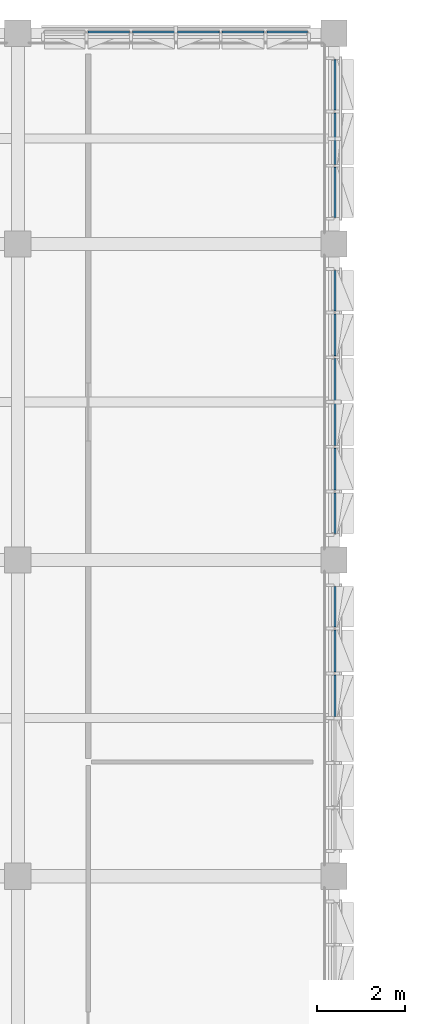
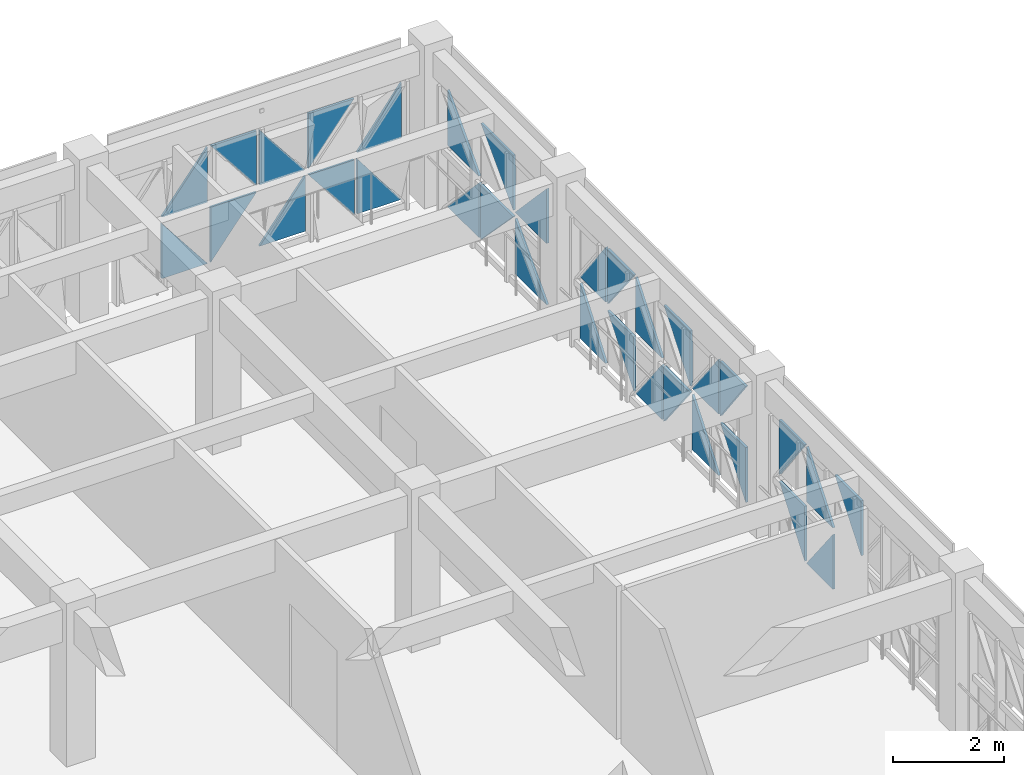
# One storey, part 36 of 74: 33 plates, 4 elements without a shape of their own.
"""IFC4 building model written with IfcOpenShell, lengths in metres."""

from ifc_helpers import new_model, si_unit, direction, frame, origin, place, context, subcontext, project, spatial, polyline, outline, extrude, material, layer, layer_set, type_object, element, aggregate, save


model = new_model("IFC4")

# Units and contexts
model_context = context("Model", 3, precision=1e-05, world=origin(), true_north=direction((0.0, 1.0)))
body_context = subcontext(model_context, "Body", "Model", "MODEL_VIEW")
ifc_project = project(units=[si_unit("LENGTHUNIT", "METRE"), si_unit("AREAUNIT", "SQUARE_METRE"), si_unit("VOLUMEUNIT", "CUBIC_METRE"), si_unit("PLANEANGLEUNIT", "RADIAN"), si_unit("MASSUNIT", "GRAM", prefix="KILO")], contexts=[model_context])

# Site, building, storey
site_placement = place(None, origin())
site = spatial("IfcSite", under=ifc_project, at=site_placement, CompositionType="ELEMENT")
building_placement = place(site_placement, origin())
building = spatial("IfcBuilding", under=site, at=building_placement, Name="Alvorim Cloister Faculty of Sciences", CompositionType="ELEMENT")
storey_placement = place(building_placement, frame((0.0, 0.0, 15.75)))
storey = spatial("IfcBuildingStorey", under=building, at=storey_placement, Name="L04", CompositionType="ELEMENT", Elevation=15.75)

# Curtain wall, plates
ifc_material_1 = material(Name="Aluminium and Low-E Glass Curtain Wall", Category="aluminium")
curtain_wall_type_1 = type_object("IfcCurtainWallType", Name="CW-TRI-6120x2850", PredefinedType="USERDEFINED", material=ifc_material_1)
curtain_wall_1_placement = place(storey_placement, origin())
curtain_wall_1 = element("IfcCurtainWall", 1, at=curtain_wall_1_placement, inside=storey, type_object=curtain_wall_type_1, Name="L04 Diagonal Cassette Curtain Wall CW-0180", ObjectType="UNITISED CURTAIN WALL", PredefinedType="USERDEFINED")
ifc_material_2 = material(Name="Double Low-E Laminated Glass", Category="glass")
ifc_layer = layer(ifc_material_2, 0.0400390625)
ifc_layer_set = layer_set([ifc_layer], Name="Double Low-E Laminated Glass")
plate_type = type_object("IfcPlateType", Name="PN-GLZ-40", PredefinedType="CURTAIN_PANEL", material=ifc_layer_set)
plate_1_placement = place(storey_placement, frame((15.992431640625, 111.625, 0.139892578125), z_axis=(0.0, 0.0, 1.0), x_axis=(1.0, 0.0, 0.0)))
plate_1 = element("IfcPlate", 2, at=plate_1_placement, type_object=plate_type, Name="Diagonal Glazed Triangle TRI-BL", PredefinedType="CURTAIN_PANEL", context=body_context, shape_type="SweptSolid", body=[
    extrude(outline(polyline([(0.0, 0.0), (0.953125, 0.0), (0.0, 1.213134765625), (0.0, 0.0)])), frame((0.0, 0.02490234375, 0.0), z_axis=(0.0, -1.0, 0.0), x_axis=(1.0, 0.0, 0.0)), (0.0, 0.0, 1.0), 0.050048828125),
])
plate_2_placement = place(storey_placement, frame((15.992431640625, 111.625, 1.4951171875), z_axis=(0.0, 0.0, 1.0), x_axis=(1.0, 0.0, 0.0)))
plate_2 = element("IfcPlate", 3, at=plate_2_placement, type_object=plate_type, Name="Diagonal Glazed Triangle TRI-BR", PredefinedType="CURTAIN_PANEL", context=body_context, shape_type="SweptSolid", body=[
    extrude(outline(polyline([(0.001953125, 0.0), (0.955078125, 0.0), (0.955078125, 1.212890625), (0.001953125, 0.0)])), frame((0.0, 0.02490234375, 0.0), z_axis=(0.0, -1.0, 0.0), x_axis=(1.0, 0.0, 0.0)), (0.0, 0.0, 1.0), 0.050048828125),
])
plate_3_placement = place(storey_placement, frame((17.012451171875, 111.625, 0.139892578125), z_axis=(0.0, 0.0, 1.0), x_axis=(1.0, 0.0, 0.0)))
plate_3 = element("IfcPlate", 4, at=plate_3_placement, type_object=plate_type, Name="Diagonal Glazed Triangle TRI-TL", PredefinedType="CURTAIN_PANEL", context=body_context, shape_type="SweptSolid", body=[
    extrude(outline(polyline([(0.953125, 1.215087890625), (0.0, 1.215087890625), (0.0, 0.001953125), (0.953125, 1.215087890625)])), frame((0.0, 0.02490234375, 0.0), z_axis=(0.0, -1.0, 0.0), x_axis=(1.0, 0.0, 0.0)), (0.0, 0.0, 1.0), 0.050048828125),
])
plate_4_placement = place(storey_placement, frame((17.012451171875, 111.625, 1.4951171875), z_axis=(0.0, 0.0, 1.0), x_axis=(1.0, 0.0, 0.0)))
plate_4 = element("IfcPlate", 5, at=plate_4_placement, type_object=plate_type, Name="Diagonal Glazed Triangle TRI-TR", PredefinedType="CURTAIN_PANEL", context=body_context, shape_type="SweptSolid", body=[
    extrude(outline(polyline([(0.955078125, 0.001953125), (0.955078125, 1.21484375), (0.001953125, 1.21484375), (0.955078125, 0.001953125)])), frame((0.0, 0.02490234375, 0.0), z_axis=(0.0, -1.0, 0.0), x_axis=(1.0, 0.0, 0.0)), (0.0, 0.0, 1.0), 0.050048828125),
])
plate_5_placement = place(storey_placement, frame((18.032470703125, 111.625, 0.139892578125), z_axis=(0.0, 0.0, 1.0), x_axis=(1.0, 0.0, 0.0)))
plate_5 = element("IfcPlate", 6, at=plate_5_placement, type_object=plate_type, Name="Diagonal Glazed Triangle TRI-BR", PredefinedType="CURTAIN_PANEL", context=body_context, shape_type="SweptSolid", body=[
    extrude(outline(polyline([(0.001953125, 0.0), (0.955078125, 0.0), (0.955078125, 1.213134765625), (0.001953125, 0.0)])), frame((0.0, 0.02490234375, 0.0), z_axis=(0.0, -1.0, 0.0), x_axis=(1.0, 0.0, 0.0)), (0.0, 0.0, 1.0), 0.050048828125),
])
plate_6_placement = place(storey_placement, frame((18.032470703125, 111.625, 1.4951171875), z_axis=(0.0, 0.0, 1.0), x_axis=(1.0, 0.0, 0.0)))
plate_6 = element("IfcPlate", 7, at=plate_6_placement, type_object=plate_type, Name="Diagonal Glazed Triangle TRI-BL", PredefinedType="CURTAIN_PANEL", context=body_context, shape_type="SweptSolid", body=[
    extrude(outline(polyline([(0.0, 0.0), (0.953125, 0.0), (0.0, 1.212890625), (0.0, 0.0)])), frame((0.0, 0.02490234375, 0.0), z_axis=(0.0, -1.0, 0.0), x_axis=(1.0, 0.0, 0.0)), (0.0, 0.0, 1.0), 0.050048828125),
])
plate_7_placement = place(storey_placement, frame((19.052490234375, 111.625, 0.139892578125), z_axis=(0.0, 0.0, 1.0), x_axis=(1.0, 0.0, 0.0)))
plate_7 = element("IfcPlate", 8, at=plate_7_placement, type_object=plate_type, Name="Diagonal Glazed Triangle TRI-TR", PredefinedType="CURTAIN_PANEL", context=body_context, shape_type="SweptSolid", body=[
    extrude(outline(polyline([(0.955078125, 0.001953125), (0.955078125, 1.215087890625), (0.001953125, 1.215087890625), (0.955078125, 0.001953125)])), frame((0.0, 0.02490234375, 0.0), z_axis=(0.0, -1.0, 0.0), x_axis=(1.0, 0.0, 0.0)), (0.0, 0.0, 1.0), 0.050048828125),
])
plate_8_placement = place(storey_placement, frame((19.052490234375, 111.625, 1.4951171875), z_axis=(0.0, 0.0, 1.0), x_axis=(1.0, 0.0, 0.0)))
plate_8 = element("IfcPlate", 9, at=plate_8_placement, type_object=plate_type, Name="Diagonal Glazed Triangle TRI-TL", PredefinedType="CURTAIN_PANEL", context=body_context, shape_type="SweptSolid", body=[
    extrude(outline(polyline([(0.953125, 1.21484375), (0.0, 1.21484375), (0.0, 0.001953125), (0.953125, 1.21484375)])), frame((0.0, 0.02490234375, 0.0), z_axis=(0.0, -1.0, 0.0), x_axis=(1.0, 0.0, 0.0)), (0.0, 0.0, 1.0), 0.050048828125),
])
plate_9_placement = place(storey_placement, frame((20.072509765625, 111.625, 0.139892578125), z_axis=(0.0, 0.0, 1.0), x_axis=(1.0, 0.0, 0.0)))
plate_9 = element("IfcPlate", 10, at=plate_9_placement, type_object=plate_type, Name="Diagonal Glazed Triangle TRI-BL", PredefinedType="CURTAIN_PANEL", context=body_context, shape_type="SweptSolid", body=[
    extrude(outline(polyline([(0.0, 0.0), (0.920654296875, 0.0), (0.0, 1.213134765625), (0.0, 0.0)])), frame((0.0, 0.02490234375, 0.0), z_axis=(0.0, -1.0, 0.0), x_axis=(1.0, 0.0, 0.0)), (0.0, 0.0, 1.0), 0.050048828125),
])
plate_10_placement = place(storey_placement, frame((20.072509765625, 111.625, 1.4951171875), z_axis=(0.0, 0.0, 1.0), x_axis=(1.0, 0.0, 0.0)))
plate_10 = element("IfcPlate", 11, at=plate_10_placement, type_object=plate_type, Name="Diagonal Glazed Triangle TRI-BR", PredefinedType="CURTAIN_PANEL", context=body_context, shape_type="SweptSolid", body=[
    extrude(outline(polyline([(0.001953125, 0.0), (0.922607421875, 0.0), (0.922607421875, 1.212890625), (0.001953125, 0.0)])), frame((0.0, 0.02490234375, 0.0), z_axis=(0.0, -1.0, 0.0), x_axis=(1.0, 0.0, 0.0)), (0.0, 0.0, 1.0), 0.050048828125),
])
aggregate(curtain_wall_1, [plate_1, plate_2, plate_3, plate_4, plate_5, plate_6, plate_7, plate_8, plate_9, plate_10])

curtain_wall_type_2 = type_object("IfcCurtainWallType", Name="CW-TRI-3720x2850", PredefinedType="USERDEFINED", material=ifc_material_1)
curtain_wall_2_placement = place(storey_placement, origin())
curtain_wall_2 = element("IfcCurtainWall", 12, at=curtain_wall_2_placement, inside=storey, type_object=curtain_wall_type_2, Name="L04 Diagonal Cassette Curtain Wall CW-0181", ObjectType="UNITISED CURTAIN WALL", PredefinedType="USERDEFINED")
plate_11_placement = place(storey_placement, frame((21.625, 107.405029296875, 0.139892578125), z_axis=(0.0, 0.0, 1.0), x_axis=(0.0, 1.0, 0.0)))
plate_11 = element("IfcPlate", 13, at=plate_11_placement, type_object=plate_type, Name="Diagonal Glazed Triangle TRI-BR", PredefinedType="CURTAIN_PANEL", context=body_context, shape_type="SweptSolid", body=[
    extrude(outline(polyline([(0.001953125, 0.0), (1.142578125, 0.0), (1.142578125, 1.213134765625), (0.001953125, 0.0)])), frame((0.0, 0.02490234375, 0.0), z_axis=(0.0, -1.0, 0.0), x_axis=(1.0, 0.0, 0.0)), (0.0, 0.0, 1.0), 0.050048828125),
])
plate_12_placement = place(storey_placement, frame((21.625, 107.405029296875, 1.4951171875), z_axis=(0.0, 0.0, 1.0), x_axis=(0.0, 1.0, 0.0)))
plate_12 = element("IfcPlate", 14, at=plate_12_placement, type_object=plate_type, Name="Diagonal Glazed Triangle TRI-BL", PredefinedType="CURTAIN_PANEL", context=body_context, shape_type="SweptSolid", body=[
    extrude(outline(polyline([(0.0, 0.0), (1.140625, 0.0), (0.0, 1.212890625), (0.0, 0.0)])), frame((0.0, 0.02490234375, 0.0), z_axis=(0.0, -1.0, 0.0), x_axis=(1.0, 0.0, 0.0)), (0.0, 0.0, 1.0), 0.050048828125),
])
plate_13_placement = place(storey_placement, frame((21.625, 108.612548828125, 0.139892578125), z_axis=(0.0, 0.0, 1.0), x_axis=(0.0, 1.0, 0.0)))
plate_13 = element("IfcPlate", 15, at=plate_13_placement, type_object=plate_type, Name="Diagonal Glazed Triangle TRI-TR", PredefinedType="CURTAIN_PANEL", context=body_context, shape_type="SweptSolid", body=[
    extrude(outline(polyline([(1.175048828125, 0.001953125), (1.175048828125, 1.215087890625), (0.001953125, 1.215087890625), (1.175048828125, 0.001953125)])), frame((0.0, 0.02490234375, 0.0), z_axis=(0.0, -1.0, 0.0), x_axis=(1.0, 0.0, 0.0)), (0.0, 0.0, 1.0), 0.050048828125),
])
plate_14_placement = place(storey_placement, frame((21.625, 108.612548828125, 1.4951171875), z_axis=(0.0, 0.0, 1.0), x_axis=(0.0, 1.0, 0.0)))
plate_14 = element("IfcPlate", 16, at=plate_14_placement, type_object=plate_type, Name="Diagonal Glazed Triangle TRI-TL", PredefinedType="CURTAIN_PANEL", context=body_context, shape_type="SweptSolid", body=[
    extrude(outline(polyline([(1.173095703125, 1.21484375), (0.0, 1.21484375), (0.0, 0.001953125), (1.173095703125, 1.21484375)])), frame((0.0, 0.02490234375, 0.0), z_axis=(0.0, -1.0, 0.0), x_axis=(1.0, 0.0, 0.0)), (0.0, 0.0, 1.0), 0.050048828125),
])
plate_15_placement = place(storey_placement, frame((21.625, 109.8525390625, 0.139892578125), z_axis=(0.0, 0.0, 1.0), x_axis=(0.0, 1.0, 0.0)))
plate_15 = element("IfcPlate", 17, at=plate_15_placement, type_object=plate_type, Name="Diagonal Glazed Triangle TRI-BL", PredefinedType="CURTAIN_PANEL", context=body_context, shape_type="SweptSolid", body=[
    extrude(outline(polyline([(0.0, 0.0), (1.140625, 0.0), (0.0, 1.213134765625), (0.0, 0.0)])), frame((0.0, 0.02490234375, 0.0), z_axis=(0.0, -1.0, 0.0), x_axis=(1.0, 0.0, 0.0)), (0.0, 0.0, 1.0), 0.050048828125),
])
plate_16_placement = place(storey_placement, frame((21.625, 109.8525390625, 1.4951171875), z_axis=(0.0, 0.0, 1.0), x_axis=(0.0, 1.0, 0.0)))
plate_16 = element("IfcPlate", 18, at=plate_16_placement, type_object=plate_type, Name="Diagonal Glazed Triangle TRI-BR", PredefinedType="CURTAIN_PANEL", context=body_context, shape_type="SweptSolid", body=[
    extrude(outline(polyline([(0.001953125, 0.0), (1.142578125, 0.0), (1.142578125, 1.212890625), (0.001953125, 0.0)])), frame((0.0, 0.02490234375, 0.0), z_axis=(0.0, -1.0, 0.0), x_axis=(1.0, 0.0, 0.0)), (0.0, 0.0, 1.0), 0.050048828125),
])
aggregate(curtain_wall_2, [plate_11, plate_12, plate_13, plate_14, plate_15, plate_16])

curtain_wall_3_placement = place(storey_placement, origin())
curtain_wall_3 = element("IfcCurtainWall", 19, at=curtain_wall_3_placement, inside=storey, type_object=curtain_wall_type_1, Name="L04 Diagonal Cassette Curtain Wall CW-0182", ObjectType="UNITISED CURTAIN WALL", PredefinedType="USERDEFINED")
plate_17_placement = place(storey_placement, frame((21.625, 100.205078125, 0.139892578125), z_axis=(0.0, 0.0, 1.0), x_axis=(0.0, 1.0, 0.0)))
plate_17 = element("IfcPlate", 20, at=plate_17_placement, type_object=plate_type, Name="Diagonal Glazed Triangle TRI-TL", PredefinedType="CURTAIN_PANEL", context=body_context, shape_type="SweptSolid", body=[
    extrude(outline(polyline([(0.920654296875, 1.215087890625), (0.0, 1.215087890625), (0.0, 0.001953125), (0.920654296875, 1.215087890625)])), frame((0.0, 0.02490234375, 0.0), z_axis=(0.0, -1.0, 0.0), x_axis=(1.0, 0.0, 0.0)), (0.0, 0.0, 1.0), 0.050048828125),
])
plate_18_placement = place(storey_placement, frame((21.625, 100.205078125, 1.4951171875), z_axis=(0.0, 0.0, 1.0), x_axis=(0.0, 1.0, 0.0)))
plate_18 = element("IfcPlate", 21, at=plate_18_placement, type_object=plate_type, Name="Diagonal Glazed Triangle TRI-TR", PredefinedType="CURTAIN_PANEL", context=body_context, shape_type="SweptSolid", body=[
    extrude(outline(polyline([(0.922607421875, 0.001953125), (0.922607421875, 1.21484375), (0.001953125, 1.21484375), (0.922607421875, 0.001953125)])), frame((0.0, 0.02490234375, 0.0), z_axis=(0.0, -1.0, 0.0), x_axis=(1.0, 0.0, 0.0)), (0.0, 0.0, 1.0), 0.050048828125),
])
plate_19_placement = place(storey_placement, frame((21.625, 101.1923828125, 0.139892578125), z_axis=(0.0, 0.0, 1.0), x_axis=(0.0, 1.0, 0.0)))
plate_19 = element("IfcPlate", 22, at=plate_19_placement, type_object=plate_type, Name="Diagonal Glazed Triangle TRI-BR", PredefinedType="CURTAIN_PANEL", context=body_context, shape_type="SweptSolid", body=[
    extrude(outline(polyline([(0.001953125, 0.0), (0.955078125, 0.0), (0.955078125, 1.213134765625), (0.001953125, 0.0)])), frame((0.0, 0.02490234375, 0.0), z_axis=(0.0, -1.0, 0.0), x_axis=(1.0, 0.0, 0.0)), (0.0, 0.0, 1.0), 0.050048828125),
])
plate_20_placement = place(storey_placement, frame((21.625, 101.1923828125, 1.4951171875), z_axis=(0.0, 0.0, 1.0), x_axis=(0.0, 1.0, 0.0)))
plate_20 = element("IfcPlate", 23, at=plate_20_placement, type_object=plate_type, Name="Diagonal Glazed Triangle TRI-BL", PredefinedType="CURTAIN_PANEL", context=body_context, shape_type="SweptSolid", body=[
    extrude(outline(polyline([(0.0, 0.0), (0.953125, 0.0), (0.0, 1.212890625), (0.0, 0.0)])), frame((0.0, 0.02490234375, 0.0), z_axis=(0.0, -1.0, 0.0), x_axis=(1.0, 0.0, 0.0)), (0.0, 0.0, 1.0), 0.050048828125),
])
plate_21_placement = place(storey_placement, frame((21.625, 102.21240234375, 0.139892578125), z_axis=(0.0, 0.0, 1.0), x_axis=(0.0, 1.0, 0.0)))
plate_21 = element("IfcPlate", 24, at=plate_21_placement, type_object=plate_type, Name="Diagonal Glazed Triangle TRI-TR", PredefinedType="CURTAIN_PANEL", context=body_context, shape_type="SweptSolid", body=[
    extrude(outline(polyline([(0.955078125, 0.001953125), (0.955078125, 1.215087890625), (0.001953125, 1.215087890625), (0.955078125, 0.001953125)])), frame((0.0, 0.02490234375, 0.0), z_axis=(0.0, -1.0, 0.0), x_axis=(1.0, 0.0, 0.0)), (0.0, 0.0, 1.0), 0.050048828125),
])
plate_22_placement = place(storey_placement, frame((21.625, 102.21240234375, 1.4951171875), z_axis=(0.0, 0.0, 1.0), x_axis=(0.0, 1.0, 0.0)))
plate_22 = element("IfcPlate", 25, at=plate_22_placement, type_object=plate_type, Name="Diagonal Glazed Triangle TRI-TL", PredefinedType="CURTAIN_PANEL", context=body_context, shape_type="SweptSolid", body=[
    extrude(outline(polyline([(0.953125, 1.21484375), (0.0, 1.21484375), (0.0, 0.001953125), (0.953125, 1.21484375)])), frame((0.0, 0.02490234375, 0.0), z_axis=(0.0, -1.0, 0.0), x_axis=(1.0, 0.0, 0.0)), (0.0, 0.0, 1.0), 0.050048828125),
])
plate_23_placement = place(storey_placement, frame((21.625, 103.232421875, 0.139892578125), z_axis=(0.0, 0.0, 1.0), x_axis=(0.0, 1.0, 0.0)))
plate_23 = element("IfcPlate", 26, at=plate_23_placement, type_object=plate_type, Name="Diagonal Glazed Triangle TRI-BL", PredefinedType="CURTAIN_PANEL", context=body_context, shape_type="SweptSolid", body=[
    extrude(outline(polyline([(0.0, 0.0), (0.953125, 0.0), (0.0, 1.213134765625), (0.0, 0.0)])), frame((0.0, 0.02490234375, 0.0), z_axis=(0.0, -1.0, 0.0), x_axis=(1.0, 0.0, 0.0)), (0.0, 0.0, 1.0), 0.050048828125),
])
plate_24_placement = place(storey_placement, frame((21.625, 103.232421875, 1.4951171875), z_axis=(0.0, 0.0, 1.0), x_axis=(0.0, 1.0, 0.0)))
plate_24 = element("IfcPlate", 27, at=plate_24_placement, type_object=plate_type, Name="Diagonal Glazed Triangle TRI-BR", PredefinedType="CURTAIN_PANEL", context=body_context, shape_type="SweptSolid", body=[
    extrude(outline(polyline([(0.001953125, 0.0), (0.955078125, 0.0), (0.955078125, 1.212890625), (0.001953125, 0.0)])), frame((0.0, 0.02490234375, 0.0), z_axis=(0.0, -1.0, 0.0), x_axis=(1.0, 0.0, 0.0)), (0.0, 0.0, 1.0), 0.050048828125),
])
plate_25_placement = place(storey_placement, frame((21.625, 104.25244140625, 0.139892578125), z_axis=(0.0, 0.0, 1.0), x_axis=(0.0, 1.0, 0.0)))
plate_25 = element("IfcPlate", 28, at=plate_25_placement, type_object=plate_type, Name="Diagonal Glazed Triangle TRI-TL", PredefinedType="CURTAIN_PANEL", context=body_context, shape_type="SweptSolid", body=[
    extrude(outline(polyline([(0.953125, 1.215087890625), (0.0, 1.215087890625), (0.0, 0.001953125), (0.953125, 1.215087890625)])), frame((0.0, 0.02490234375, 0.0), z_axis=(0.0, -1.0, 0.0), x_axis=(1.0, 0.0, 0.0)), (0.0, 0.0, 1.0), 0.050048828125),
])
plate_26_placement = place(storey_placement, frame((21.625, 104.25244140625, 1.4951171875), z_axis=(0.0, 0.0, 1.0), x_axis=(0.0, 1.0, 0.0)))
plate_26 = element("IfcPlate", 29, at=plate_26_placement, type_object=plate_type, Name="Diagonal Glazed Triangle TRI-TR", PredefinedType="CURTAIN_PANEL", context=body_context, shape_type="SweptSolid", body=[
    extrude(outline(polyline([(0.955078125, 0.001953125), (0.955078125, 1.21484375), (0.001953125, 1.21484375), (0.955078125, 0.001953125)])), frame((0.0, 0.02490234375, 0.0), z_axis=(0.0, -1.0, 0.0), x_axis=(1.0, 0.0, 0.0)), (0.0, 0.0, 1.0), 0.050048828125),
])
plate_27_placement = place(storey_placement, frame((21.625, 105.2724609375, 0.139892578125), z_axis=(0.0, 0.0, 1.0), x_axis=(0.0, 1.0, 0.0)))
plate_27 = element("IfcPlate", 30, at=plate_27_placement, type_object=plate_type, Name="Diagonal Glazed Triangle TRI-BR", PredefinedType="CURTAIN_PANEL", context=body_context, shape_type="SweptSolid", body=[
    extrude(outline(polyline([(0.001953125, 0.0), (0.922607421875, 0.0), (0.922607421875, 1.213134765625), (0.001953125, 0.0)])), frame((0.0, 0.02490234375, 0.0), z_axis=(0.0, -1.0, 0.0), x_axis=(1.0, 0.0, 0.0)), (0.0, 0.0, 1.0), 0.050048828125),
])
plate_28_placement = place(storey_placement, frame((21.625, 105.2724609375, 1.4951171875), z_axis=(0.0, 0.0, 1.0), x_axis=(0.0, 1.0, 0.0)))
plate_28 = element("IfcPlate", 31, at=plate_28_placement, type_object=plate_type, Name="Diagonal Glazed Triangle TRI-BL", PredefinedType="CURTAIN_PANEL", context=body_context, shape_type="SweptSolid", body=[
    extrude(outline(polyline([(0.0, 0.0), (0.920654296875, 0.0), (0.0, 1.212890625), (0.0, 0.0)])), frame((0.0, 0.02490234375, 0.0), z_axis=(0.0, -1.0, 0.0), x_axis=(1.0, 0.0, 0.0)), (0.0, 0.0, 1.0), 0.050048828125),
])
aggregate(curtain_wall_3, [plate_17, plate_18, plate_19, plate_20, plate_21, plate_22, plate_23, plate_24, plate_25, plate_26, plate_27, plate_28])

curtain_wall_4_placement = place(storey_placement, origin())
curtain_wall_4 = element("IfcCurtainWall", 32, at=curtain_wall_4_placement, inside=storey, type_object=curtain_wall_type_1, Name="L04 Diagonal Cassette Curtain Wall CW-0183", ObjectType="UNITISED CURTAIN WALL", PredefinedType="USERDEFINED")
plate_29_placement = place(storey_placement, frame((21.625, 96.032470703125, 1.4951171875), z_axis=(0.0, 0.0, 1.0), x_axis=(0.0, 1.0, 0.0)))
plate_29 = element("IfcPlate", 33, at=plate_29_placement, type_object=plate_type, Name="Diagonal Glazed Triangle TRI-TL", PredefinedType="CURTAIN_PANEL", context=body_context, shape_type="SweptSolid", body=[
    extrude(outline(polyline([(0.953125, 1.21484375), (0.0, 1.21484375), (0.0, 0.001953125), (0.953125, 1.21484375)])), frame((0.0, 0.02490234375, 0.0), z_axis=(0.0, -1.0, 0.0), x_axis=(1.0, 0.0, 0.0)), (0.0, 0.0, 1.0), 0.050048828125),
])
plate_30_placement = place(storey_placement, frame((21.625, 97.052490234375, 0.139892578125), z_axis=(0.0, 0.0, 1.0), x_axis=(0.0, 1.0, 0.0)))
plate_30 = element("IfcPlate", 34, at=plate_30_placement, type_object=plate_type, Name="Diagonal Glazed Triangle TRI-BL", PredefinedType="CURTAIN_PANEL", context=body_context, shape_type="SweptSolid", body=[
    extrude(outline(polyline([(0.0, 0.0), (0.953125, 0.0), (0.0, 1.213134765625), (0.0, 0.0)])), frame((0.0, 0.02490234375, 0.0), z_axis=(0.0, -1.0, 0.0), x_axis=(1.0, 0.0, 0.0)), (0.0, 0.0, 1.0), 0.050048828125),
])
plate_31_placement = place(storey_placement, frame((21.625, 97.052490234375, 1.4951171875), z_axis=(0.0, 0.0, 1.0), x_axis=(0.0, 1.0, 0.0)))
plate_31 = element("IfcPlate", 35, at=plate_31_placement, type_object=plate_type, Name="Diagonal Glazed Triangle TRI-BR", PredefinedType="CURTAIN_PANEL", context=body_context, shape_type="SweptSolid", body=[
    extrude(outline(polyline([(0.001953125, 0.0), (0.955078125, 0.0), (0.955078125, 1.212890625), (0.001953125, 0.0)])), frame((0.0, 0.02490234375, 0.0), z_axis=(0.0, -1.0, 0.0), x_axis=(1.0, 0.0, 0.0)), (0.0, 0.0, 1.0), 0.050048828125),
])
plate_32_placement = place(storey_placement, frame((21.625, 98.072509765625, 0.139892578125), z_axis=(0.0, 0.0, 1.0), x_axis=(0.0, 1.0, 0.0)))
plate_32 = element("IfcPlate", 36, at=plate_32_placement, type_object=plate_type, Name="Diagonal Glazed Triangle TRI-TL", PredefinedType="CURTAIN_PANEL", context=body_context, shape_type="SweptSolid", body=[
    extrude(outline(polyline([(0.920654296875, 1.215087890625), (0.0, 1.215087890625), (0.0, 0.001953125), (0.920654296875, 1.215087890625)])), frame((0.0, 0.02490234375, 0.0), z_axis=(0.0, -1.0, 0.0), x_axis=(1.0, 0.0, 0.0)), (0.0, 0.0, 1.0), 0.050048828125),
])
plate_33_placement = place(storey_placement, frame((21.625, 98.072509765625, 1.4951171875), z_axis=(0.0, 0.0, 1.0), x_axis=(0.0, 1.0, 0.0)))
plate_33 = element("IfcPlate", 37, at=plate_33_placement, type_object=plate_type, Name="Diagonal Glazed Triangle TRI-TR", PredefinedType="CURTAIN_PANEL", context=body_context, shape_type="SweptSolid", body=[
    extrude(outline(polyline([(0.922607421875, 0.001953125), (0.922607421875, 1.21484375), (0.001953125, 1.21484375), (0.922607421875, 0.001953125)])), frame((0.0, 0.02490234375, 0.0), z_axis=(0.0, -1.0, 0.0), x_axis=(1.0, 0.0, 0.0)), (0.0, 0.0, 1.0), 0.050048828125),
])
aggregate(curtain_wall_4, [plate_29, plate_30, plate_31, plate_32, plate_33])

save(model, "model.ifc")
